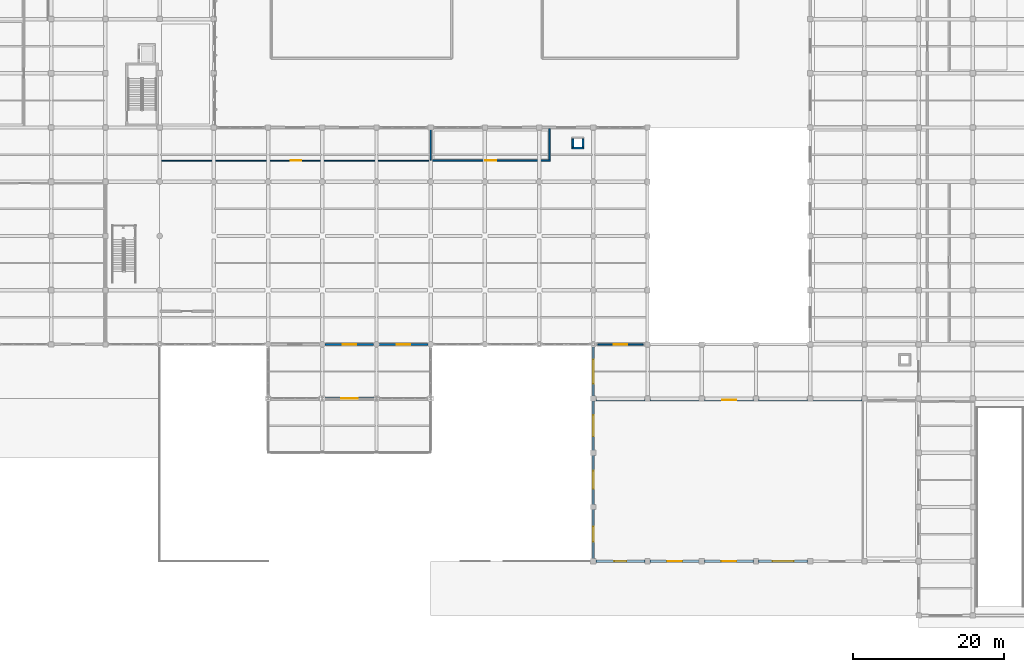
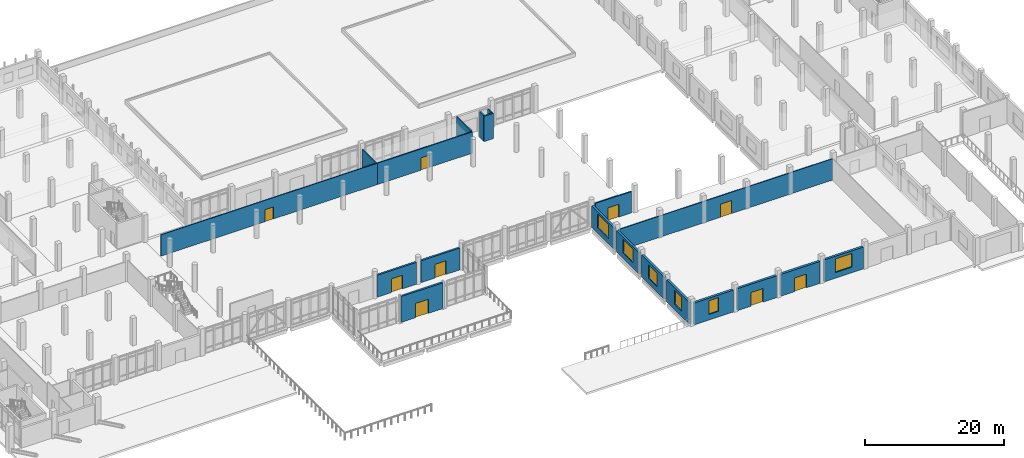
# One storey, part 36 of 59: 20 walls, 9 doors, 6 windows, 15 openings.
"""IFC4 building model written with IfcOpenShell, lengths in metres."""

from ifc_helpers import new_model, si_unit, direction, frame, frame_2d, origin, place, context, subcontext, project, spatial, rectangle, extrude, material, layer, layer_set, type_object, element, fill, save


model = new_model("IFC4")

# Units and contexts
model_context = context("Model", 3, precision=1e-05, world=origin(), true_north=direction((0.0, 1.0)))
body_context = subcontext(model_context, "Body", "Model", "MODEL_VIEW")
ifc_project = project(units=[si_unit("LENGTHUNIT", "METRE"), si_unit("AREAUNIT", "SQUARE_METRE"), si_unit("VOLUMEUNIT", "CUBIC_METRE"), si_unit("PLANEANGLEUNIT", "RADIAN"), si_unit("MASSUNIT", "GRAM", prefix="KILO")], contexts=[model_context])

# Site, building, storey
site_placement = place(None, origin())
site = spatial("IfcSite", under=ifc_project, at=site_placement, CompositionType="ELEMENT")
building_placement = place(site_placement, origin())
building = spatial("IfcBuilding", under=site, at=building_placement, Name="Valkovuoma Quantum and Materials Research Institute", CompositionType="ELEMENT")
storey_placement = place(building_placement, origin())
storey = spatial("IfcBuildingStorey", under=building, at=storey_placement, Name="L00", CompositionType="ELEMENT", Elevation=0.0)

# Wall, opening, door
ifc_material_1 = material(Name="Precast concrete C40/50", Category="concrete")
ifc_layer_1 = layer(ifc_material_1, 0.300048828125)
ifc_layer_set_1 = layer_set([ifc_layer_1], Name="Precast concrete C40/50")
wall_type_1 = type_object("IfcWallType", Name="Wall-W-EXT300", PredefinedType="SOLIDWALL", material=ifc_layer_set_1)
wall_1_placement = place(storey_placement, frame((64.93994140625, 28.800048828125, 0.0), z_axis=(0.0, 0.0, 1.0), x_axis=(1.0, 0.0, 0.0)))
wall_1 = element("IfcWall", 1, at=wall_1_placement, inside=storey, type_object=wall_type_1, Name="L00 exterior wall 0073", PredefinedType="SOLIDWALL", context=body_context, shape_type="SweptSolid", body=[
    extrude(rectangle(XDim=6.920166015625, YDim=0.300048828125, at=frame_2d((3.4599609375, 0.0))), origin(), (0.0, 0.0, 1.0), 4.550048828125),
])
opening_1_placement = place(wall_1_placement, frame((2.360107421875, 0.0, 0.0)))
opening_1 = element("IfcOpeningElement", 2, at=opening_1_placement, cuts=wall_1, Name="Opening ED-008", PredefinedType="OPENING", context=body_context, shape_type="SweptSolid", body=[
    extrude(rectangle(XDim=2.199951171875, YDim=2.5, at=frame_2d((1.10009765625, 1.25))), frame((0.0, 0.16015625, 0.0), z_axis=(0.0, -1.0, 0.0), x_axis=(1.0, 0.0, 0.0)), (0.0, 0.0, 1.0), 0.320068359375),
])
ifc_material_2 = material(Name="Thermally broken insulated aluminium and steel door", Category="steel")
door_type_1 = type_object("IfcDoorType", Name="Door-DR-EX04", OperationType="NOTDEFINED", PredefinedType="DOOR", material=ifc_material_2)
door_1_placement = place(opening_1_placement, frame((2.199951171875, 0.0, 0.0), z_axis=(0.0, 0.0, 1.0), x_axis=(-1.0, 0.0, 0.0)))
door_1 = element("IfcDoor", 3, at=door_1_placement, inside=storey, type_object=door_type_1, Name="L00 exterior door 008", OperationType="DOUBLE_DOOR_SINGLE_SWING", OverallHeight=2.5, OverallWidth=2.199951171875, PredefinedType="DOOR", context=body_context, shape_type="SweptSolid", body=[
    extrude(rectangle(XDim=2.199951171875, YDim=2.5, at=frame_2d((1.10009765625, 1.25))), frame((0.0, 0.02490234375, 0.0), z_axis=(0.0, -1.0, 0.0), x_axis=(1.0, 0.0, 0.0)), (0.0, 0.0, 1.0), 0.050048828125),
])
fill(opening_1, door_1)

wall_2_placement = place(storey_placement, frame((65.1650390625, 36.0, 0.0), z_axis=(0.0, 0.0, 1.0), x_axis=(1.0, 0.0, 0.0)))
wall_2 = element("IfcWall", 4, at=wall_2_placement, inside=storey, type_object=wall_type_1, Name="L00 exterior wall 0076", PredefinedType="SOLIDWALL", context=body_context, shape_type="SweptSolid", body=[
    extrude(rectangle(XDim=6.469970703125, YDim=0.300048828125, at=frame_2d((3.23486328125, 0.0))), origin(), (0.0, 0.0, 1.0), 3.85009765625),
])
opening_2_placement = place(wall_2_placement, frame((2.3349609375, 0.0, 0.0)))
opening_2 = element("IfcOpeningElement", 5, at=opening_2_placement, cuts=wall_2, Name="Opening ED-011", PredefinedType="OPENING", context=body_context, shape_type="SweptSolid", body=[
    extrude(rectangle(XDim=1.800048828125, YDim=2.39990234375, at=frame_2d((0.89990234375, 1.199951171875))), frame((0.0, 0.16015625, 0.0), z_axis=(0.0, -1.0, 0.0), x_axis=(1.0, 0.0, 0.0)), (0.0, 0.0, 1.0), 0.320068359375),
])
ifc_material_3 = material(Name="Thermally broken insulated aluminium and steel door", Category="steel")
door_type_2 = type_object("IfcDoorType", Name="Door-DR-EX02", OperationType="NOTDEFINED", PredefinedType="DOOR", material=ifc_material_3)
door_2_placement = place(opening_2_placement, frame((1.800048828125, 0.0, 0.0), z_axis=(0.0, 0.0, 1.0), x_axis=(-1.0, 0.0, 0.0)))
door_2 = element("IfcDoor", 6, at=door_2_placement, inside=storey, type_object=door_type_2, Name="L00 exterior door 011", OperationType="DOUBLE_DOOR_SINGLE_SWING", OverallHeight=2.39990234375, OverallWidth=1.800048828125, PredefinedType="DOOR", context=body_context, shape_type="SweptSolid", body=[
    extrude(rectangle(XDim=1.800048828125, YDim=2.39990234375, at=frame_2d((0.89990234375, 1.199951171875))), frame((0.0, 0.02490234375, 0.0), z_axis=(0.0, -1.0, 0.0), x_axis=(1.0, 0.0, 0.0)), (0.0, 0.0, 1.0), 0.050048828125),
])
fill(opening_2, door_2)

wall_3_placement = place(storey_placement, frame((72.364990234375, 36.0, 0.0), z_axis=(0.0, 0.0, 1.0), x_axis=(1.0, 0.0, 0.0)))
wall_3 = element("IfcWall", 7, at=wall_3_placement, inside=storey, type_object=wall_type_1, Name="L00 exterior wall 0077", PredefinedType="SOLIDWALL", context=body_context, shape_type="SweptSolid", body=[
    extrude(rectangle(XDim=6.469970703125, YDim=0.300048828125, at=frame_2d((3.23486328125, 0.0))), origin(), (0.0, 0.0, 1.0), 3.85009765625),
])
opening_3_placement = place(wall_3_placement, frame((2.3349609375, 0.0, 0.0)))
opening_3 = element("IfcOpeningElement", 8, at=opening_3_placement, cuts=wall_3, Name="Opening ED-012", PredefinedType="OPENING", context=body_context, shape_type="SweptSolid", body=[
    extrude(rectangle(XDim=1.800048828125, YDim=2.39990234375, at=frame_2d((0.89990234375, 1.199951171875))), frame((0.0, 0.16015625, 0.0), z_axis=(0.0, -1.0, 0.0), x_axis=(1.0, 0.0, 0.0)), (0.0, 0.0, 1.0), 0.320068359375),
])
door_3_placement = place(opening_3_placement, frame((1.800048828125, 0.0, 0.0), z_axis=(0.0, 0.0, 1.0), x_axis=(-1.0, 0.0, 0.0)))
door_3 = element("IfcDoor", 9, at=door_3_placement, inside=storey, type_object=door_type_2, Name="L00 exterior door 012", OperationType="DOUBLE_DOOR_SINGLE_SWING", OverallHeight=2.39990234375, OverallWidth=1.800048828125, PredefinedType="DOOR", context=body_context, shape_type="SweptSolid", body=[
    extrude(rectangle(XDim=1.800048828125, YDim=2.39990234375, at=frame_2d((0.89990234375, 1.199951171875))), frame((0.0, 0.02490234375, 0.0), z_axis=(0.0, -1.0, 0.0), x_axis=(1.0, 0.0, 0.0)), (0.0, 0.0, 1.0), 0.050048828125),
])
fill(opening_3, door_3)

# Wall, opening, window
ifc_material_4 = material(Name="Precast concrete C40/50", Category="concrete")
ifc_layer_2 = layer(ifc_material_4, 0.360107421875)
ifc_layer_set_2 = layer_set([ifc_layer_2], Name="Precast concrete C40/50")
wall_type_2 = type_object("IfcWallType", Name="Wall-W-EXT360", PredefinedType="SOLIDWALL", material=ifc_layer_set_2)
wall_4_placement = place(storey_placement, frame((100.800048828125, 7.5400390625, 0.0), z_axis=(0.0, 0.0, 1.0), x_axis=(0.0, 1.0, 0.0)))
wall_4 = element("IfcWall", 10, at=wall_4_placement, inside=storey, type_object=wall_type_2, Name="L00 exterior wall 0088", PredefinedType="SOLIDWALL", context=body_context, shape_type="SweptSolid", body=[
    extrude(rectangle(XDim=6.52001953125, YDim=0.360107421875, at=frame_2d((3.260009765625, 0.0))), origin(), (0.0, 0.0, 1.0), 3.85009765625),
])
opening_4_placement = place(wall_4_placement, frame((2.260009765625, 0.0, 0.949951171875)))
opening_4 = element("IfcOpeningElement", 11, at=opening_4_placement, cuts=wall_4, Name="Opening WN-LF02", PredefinedType="OPENING", context=body_context, shape_type="SweptSolid", body=[
    extrude(rectangle(XDim=2.0, YDim=2.39990234375, at=frame_2d((1.0, 1.199951171875))), frame((0.0, 0.18994140625, 0.0), z_axis=(0.0, -1.0, 0.0), x_axis=(1.0, 0.0, 0.0)), (0.0, 0.0, 1.0), 0.380126953125),
])
ifc_material_5 = material(Name="Triple low-E argon glazing in thermally broken aluminium frame", Category="aluminium")
window_type_1 = type_object("IfcWindowType", Name="Win-WN-LF02", PartitioningType="SINGLE_PANEL", PredefinedType="WINDOW", material=ifc_material_5)
window_1_placement = place(opening_4_placement, origin())
window_1 = element("IfcWindow", 12, at=window_1_placement, inside=storey, type_object=window_type_1, Name="L00 window 0077", OverallHeight=2.39990234375, OverallWidth=2.0, PartitioningType="SINGLE_PANEL", PredefinedType="WINDOW", context=body_context, shape_type="SweptSolid", body=[
    extrude(rectangle(XDim=2.0, YDim=2.39990234375, at=frame_2d((1.0, 1.199951171875))), frame((0.0, 0.030029296875, 0.0), z_axis=(0.0, -1.0, 0.0), x_axis=(1.0, 0.0, 0.0)), (0.0, 0.0, 1.0), 0.06005859375),
])
fill(opening_4, window_1)

wall_5_placement = place(storey_placement, frame((100.800048828125, 14.739990234375, 0.0), z_axis=(0.0, 0.0, 1.0), x_axis=(0.0, 1.0, 0.0)))
wall_5 = element("IfcWall", 13, at=wall_5_placement, inside=storey, type_object=wall_type_2, Name="L00 exterior wall 0089", PredefinedType="SOLIDWALL", context=body_context, shape_type="SweptSolid", body=[
    extrude(rectangle(XDim=6.52001953125, YDim=0.360107421875, at=frame_2d((3.260009765625, 0.0))), origin(), (0.0, 0.0, 1.0), 3.85009765625),
])
opening_5_placement = place(wall_5_placement, frame((2.06005859375, 0.0, 0.949951171875)))
opening_5 = element("IfcOpeningElement", 14, at=opening_5_placement, cuts=wall_5, Name="Opening WN-LF03", PredefinedType="OPENING", context=body_context, shape_type="SweptSolid", body=[
    extrude(rectangle(XDim=2.39990234375, YDim=2.39990234375, at=frame_2d((1.199951171875, 1.199951171875))), frame((0.0, 0.18994140625, 0.0), z_axis=(0.0, -1.0, 0.0), x_axis=(1.0, 0.0, 0.0)), (0.0, 0.0, 1.0), 0.380126953125),
])
ifc_material_6 = material(Name="Triple low-E argon glazing in thermally broken aluminium frame", Category="aluminium")
window_type_2 = type_object("IfcWindowType", Name="Win-WN-LF03", PartitioningType="SINGLE_PANEL", PredefinedType="WINDOW", material=ifc_material_6)
window_2_placement = place(opening_5_placement, origin())
window_2 = element("IfcWindow", 15, at=window_2_placement, inside=storey, type_object=window_type_2, Name="L00 window 0078", OverallHeight=2.39990234375, OverallWidth=2.39990234375, PartitioningType="SINGLE_PANEL", PredefinedType="WINDOW", context=body_context, shape_type="SweptSolid", body=[
    extrude(rectangle(XDim=2.39990234375, YDim=2.39990234375, at=frame_2d((1.199951171875, 1.199951171875))), frame((0.0, 0.030029296875, 0.0), z_axis=(0.0, -1.0, 0.0), x_axis=(1.0, 0.0, 0.0)), (0.0, 0.0, 1.0), 0.06005859375),
])
fill(opening_5, window_2)

wall_6_placement = place(storey_placement, frame((100.800048828125, 21.93994140625, 0.0), z_axis=(0.0, 0.0, 1.0), x_axis=(0.0, 1.0, 0.0)))
wall_6 = element("IfcWall", 16, at=wall_6_placement, inside=storey, type_object=wall_type_2, Name="L00 exterior wall 0090", PredefinedType="SOLIDWALL", context=body_context, shape_type="SweptSolid", body=[
    extrude(rectangle(XDim=6.52001953125, YDim=0.360107421875, at=frame_2d((3.260009765625, 0.0))), origin(), (0.0, 0.0, 1.0), 3.75),
])
opening_6_placement = place(wall_6_placement, frame((1.860107421875, 0.0, 0.949951171875)))
opening_6 = element("IfcOpeningElement", 17, at=opening_6_placement, cuts=wall_6, Name="Opening WN-LF04", PredefinedType="OPENING", context=body_context, shape_type="SweptSolid", body=[
    extrude(rectangle(XDim=2.800048828125, YDim=2.39990234375, at=frame_2d((1.39990234375, 1.199951171875))), frame((0.0, 0.18994140625, 0.0), z_axis=(0.0, -1.0, 0.0), x_axis=(1.0, 0.0, 0.0)), (0.0, 0.0, 1.0), 0.380126953125),
])
ifc_material_7 = material(Name="Triple low-E argon glazing in thermally broken aluminium frame", Category="aluminium")
window_type_3 = type_object("IfcWindowType", Name="Win-WN-LF04", PartitioningType="SINGLE_PANEL", PredefinedType="WINDOW", material=ifc_material_7)
window_3_placement = place(opening_6_placement, origin())
window_3 = element("IfcWindow", 18, at=window_3_placement, inside=storey, type_object=window_type_3, Name="L00 window 0079", OverallHeight=2.39990234375, OverallWidth=2.800048828125, PartitioningType="SINGLE_PANEL", PredefinedType="WINDOW", context=body_context, shape_type="SweptSolid", body=[
    extrude(rectangle(XDim=2.800048828125, YDim=2.39990234375, at=frame_2d((1.39990234375, 1.199951171875))), frame((0.0, 0.030029296875, 0.0), z_axis=(0.0, -1.0, 0.0), x_axis=(1.0, 0.0, 0.0)), (0.0, 0.0, 1.0), 0.06005859375),
])
fill(opening_6, window_3)

wall_7_placement = place(storey_placement, frame((100.800048828125, 29.139892578125, 0.0), z_axis=(0.0, 0.0, 1.0), x_axis=(0.0, 1.0, 0.0)))
wall_7 = element("IfcWall", 19, at=wall_7_placement, inside=storey, type_object=wall_type_2, Name="L00 exterior wall 0091", PredefinedType="SOLIDWALL", context=body_context, shape_type="SweptSolid", body=[
    extrude(rectangle(XDim=6.4951171875, YDim=0.360107421875, at=frame_2d((3.24755859375, 0.0))), origin(), (0.0, 0.0, 1.0), 3.75),
])
opening_7_placement = place(wall_7_placement, frame((1.6474609375, 0.0, 0.949951171875)))
opening_7 = element("IfcOpeningElement", 20, at=opening_7_placement, cuts=wall_7, Name="Opening WN-LF05", PredefinedType="OPENING", context=body_context, shape_type="SweptSolid", body=[
    extrude(rectangle(XDim=3.199951171875, YDim=2.39990234375, at=frame_2d((1.60009765625, 1.199951171875))), frame((0.0, 0.18994140625, 0.0), z_axis=(0.0, -1.0, 0.0), x_axis=(1.0, 0.0, 0.0)), (0.0, 0.0, 1.0), 0.380126953125),
])
ifc_material_8 = material(Name="Triple low-E argon glazing in thermally broken aluminium frame", Category="aluminium")
window_type_4 = type_object("IfcWindowType", Name="Win-WN-LF05", PartitioningType="SINGLE_PANEL", PredefinedType="WINDOW", material=ifc_material_8)
window_4_placement = place(opening_7_placement, origin())
window_4 = element("IfcWindow", 21, at=window_4_placement, inside=storey, type_object=window_type_4, Name="L00 window 0080", OverallHeight=2.39990234375, OverallWidth=3.199951171875, PartitioningType="SINGLE_PANEL", PredefinedType="WINDOW", context=body_context, shape_type="SweptSolid", body=[
    extrude(rectangle(XDim=3.199951171875, YDim=2.39990234375, at=frame_2d((1.60009765625, 1.199951171875))), frame((0.0, 0.030029296875, 0.0), z_axis=(0.0, -1.0, 0.0), x_axis=(1.0, 0.0, 0.0)), (0.0, 0.0, 1.0), 0.06005859375),
])
fill(opening_7, window_4)

ifc_material_9 = material(Name="Precast concrete C40/50", Category="concrete")
ifc_layer_3 = layer(ifc_material_9, 0.3798828125)
ifc_layer_set_3 = layer_set([ifc_layer_3], Name="Precast concrete C40/50")
wall_type_3 = type_object("IfcWallType", Name="Wall-W-EXT380", PredefinedType="SOLIDWALL", material=ifc_layer_set_3)
wall_8_placement = place(storey_placement, frame((101.139892578125, 7.199951171875, 0.0), z_axis=(0.0, 0.0, 1.0), x_axis=(1.0, 0.0, 0.0)))
wall_8 = element("IfcWall", 22, at=wall_8_placement, inside=storey, type_object=wall_type_3, Name="L00 exterior wall 0082", PredefinedType="SOLIDWALL", context=body_context, shape_type="SweptSolid", body=[
    extrude(rectangle(XDim=6.52001953125, YDim=0.3798828125, at=frame_2d((3.260009765625, 0.0))), origin(), (0.0, 0.0, 1.0), 3.85009765625),
])
opening_8_placement = place(wall_8_placement, frame((2.4599609375, 0.0, 1.0)))
opening_8 = element("IfcOpeningElement", 23, at=opening_8_placement, cuts=wall_8, Name="Opening WN-LF01", PredefinedType="OPENING", context=body_context, shape_type="SweptSolid", body=[
    extrude(rectangle(XDim=1.60009765625, YDim=2.39990234375, at=frame_2d((0.800048828125, 1.199951171875))), frame((0.0, 0.199951171875, 0.0), z_axis=(0.0, -1.0, 0.0), x_axis=(1.0, 0.0, 0.0)), (0.0, 0.0, 1.0), 0.39990234375),
])
ifc_material_10 = material(Name="Triple low-E argon glazing in thermally broken aluminium frame", Category="aluminium")
window_type_5 = type_object("IfcWindowType", Name="Win-WN-LF01", PartitioningType="SINGLE_PANEL", PredefinedType="WINDOW", material=ifc_material_10)
window_5_placement = place(opening_8_placement, origin())
window_5 = element("IfcWindow", 24, at=window_5_placement, inside=storey, type_object=window_type_5, Name="L00 window 0075", OverallHeight=2.39990234375, OverallWidth=1.60009765625, PartitioningType="SINGLE_PANEL", PredefinedType="WINDOW", context=body_context, shape_type="SweptSolid", body=[
    extrude(rectangle(XDim=1.60009765625, YDim=2.39990234375, at=frame_2d((0.800048828125, 1.199951171875))), frame((0.0, 0.030029296875, 0.0), z_axis=(0.0, -1.0, 0.0), x_axis=(1.0, 0.0, 0.0)), (0.0, 0.0, 1.0), 0.06005859375),
])
fill(opening_8, window_5)

# Wall, opening, door
wall_9_placement = place(storey_placement, frame((108.340087890625, 7.199951171875, 0.0), z_axis=(0.0, 0.0, 1.0), x_axis=(1.0, 0.0, 0.0)))
wall_9 = element("IfcWall", 25, at=wall_9_placement, inside=storey, type_object=wall_type_3, Name="L00 exterior wall 0083", PredefinedType="SOLIDWALL", context=body_context, shape_type="SweptSolid", body=[
    extrude(rectangle(XDim=6.52001953125, YDim=0.3798828125, at=frame_2d((3.260009765625, 0.0))), origin(), (0.0, 0.0, 1.0), 3.85009765625),
])
opening_9_placement = place(wall_9_placement, frame((2.260009765625, 0.0, 0.0)))
opening_9 = element("IfcOpeningElement", 26, at=opening_9_placement, cuts=wall_9, Name="Opening ED-017", PredefinedType="OPENING", context=body_context, shape_type="SweptSolid", body=[
    extrude(rectangle(XDim=2.0, YDim=2.39990234375, at=frame_2d((1.0, 1.199951171875))), frame((0.0, 0.199951171875, 0.0), z_axis=(0.0, -1.0, 0.0), x_axis=(1.0, 0.0, 0.0)), (0.0, 0.0, 1.0), 0.39990234375),
])
ifc_material_11 = material(Name="Thermally broken insulated aluminium and steel door", Category="steel")
door_type_3 = type_object("IfcDoorType", Name="Door-DR-EX01", OperationType="NOTDEFINED", PredefinedType="DOOR", material=ifc_material_11)
door_4_placement = place(opening_9_placement, frame((2.0, 0.0, 0.0), z_axis=(0.0, 0.0, 1.0), x_axis=(-1.0, 0.0, 0.0)))
door_4 = element("IfcDoor", 27, at=door_4_placement, inside=storey, type_object=door_type_3, Name="L00 exterior door 017", OperationType="DOUBLE_DOOR_SINGLE_SWING", OverallHeight=2.39990234375, OverallWidth=2.0, PredefinedType="DOOR", context=body_context, shape_type="SweptSolid", body=[
    extrude(rectangle(XDim=2.0, YDim=2.39990234375, at=frame_2d((1.0, 1.199951171875))), frame((0.0, 0.02490234375, 0.0), z_axis=(0.0, -1.0, 0.0), x_axis=(1.0, 0.0, 0.0)), (0.0, 0.0, 1.0), 0.050048828125),
])
fill(opening_9, door_4)

wall_10_placement = place(storey_placement, frame((115.5400390625, 7.199951171875, 0.0), z_axis=(0.0, 0.0, 1.0), x_axis=(1.0, 0.0, 0.0)))
wall_10 = element("IfcWall", 28, at=wall_10_placement, inside=storey, type_object=wall_type_3, Name="L00 exterior wall 0084", PredefinedType="SOLIDWALL", context=body_context, shape_type="SweptSolid", body=[
    extrude(rectangle(XDim=6.52001953125, YDim=0.3798828125, at=frame_2d((3.260009765625, 0.0))), origin(), (0.0, 0.0, 1.0), 3.85009765625),
])
opening_10_placement = place(wall_10_placement, frame((2.260009765625, 0.0, 0.0)))
opening_10 = element("IfcOpeningElement", 29, at=opening_10_placement, cuts=wall_10, Name="Opening ED-018", PredefinedType="OPENING", context=body_context, shape_type="SweptSolid", body=[
    extrude(rectangle(XDim=2.0, YDim=2.39990234375, at=frame_2d((1.0, 1.199951171875))), frame((0.0, 0.199951171875, 0.0), z_axis=(0.0, -1.0, 0.0), x_axis=(1.0, 0.0, 0.0)), (0.0, 0.0, 1.0), 0.39990234375),
])
door_5_placement = place(opening_10_placement, frame((2.0, 0.0, 0.0), z_axis=(0.0, 0.0, 1.0), x_axis=(-1.0, 0.0, 0.0)))
door_5 = element("IfcDoor", 30, at=door_5_placement, inside=storey, type_object=door_type_3, Name="L00 exterior door 018", OperationType="DOUBLE_DOOR_SINGLE_SWING", OverallHeight=2.39990234375, OverallWidth=2.0, PredefinedType="DOOR", context=body_context, shape_type="SweptSolid", body=[
    extrude(rectangle(XDim=2.0, YDim=2.39990234375, at=frame_2d((1.0, 1.199951171875))), frame((0.0, 0.02490234375, 0.0), z_axis=(0.0, -1.0, 0.0), x_axis=(1.0, 0.0, 0.0)), (0.0, 0.0, 1.0), 0.050048828125),
])
fill(opening_10, door_5)

# Wall, opening, window
wall_11_placement = place(storey_placement, frame((122.739990234375, 7.199951171875, 0.0), z_axis=(0.0, 0.0, 1.0), x_axis=(1.0, 0.0, 0.0)))
wall_11 = element("IfcWall", 31, at=wall_11_placement, inside=storey, type_object=wall_type_3, Name="L00 exterior wall 0085", PredefinedType="SOLIDWALL", context=body_context, shape_type="SweptSolid", body=[
    extrude(rectangle(XDim=6.52001953125, YDim=0.3798828125, at=frame_2d((3.260009765625, 0.0))), origin(), (0.0, 0.0, 1.0), 3.85009765625),
])
opening_11_placement = place(wall_11_placement, frame((1.860107421875, 0.0, 1.0)))
opening_11 = element("IfcOpeningElement", 32, at=opening_11_placement, cuts=wall_11, Name="Opening WN-LF04", PredefinedType="OPENING", context=body_context, shape_type="SweptSolid", body=[
    extrude(rectangle(XDim=2.800048828125, YDim=2.39990234375, at=frame_2d((1.39990234375, 1.199951171875))), frame((0.0, 0.199951171875, 0.0), z_axis=(0.0, -1.0, 0.0), x_axis=(1.0, 0.0, 0.0)), (0.0, 0.0, 1.0), 0.39990234375),
])
window_6_placement = place(opening_11_placement, origin())
window_6 = element("IfcWindow", 33, at=window_6_placement, inside=storey, type_object=window_type_3, Name="L00 window 0076", OverallHeight=2.39990234375, OverallWidth=2.800048828125, PartitioningType="SINGLE_PANEL", PredefinedType="WINDOW", context=body_context, shape_type="SweptSolid", body=[
    extrude(rectangle(XDim=2.800048828125, YDim=2.39990234375, at=frame_2d((1.39990234375, 1.199951171875))), frame((0.0, 0.030029296875, 0.0), z_axis=(0.0, -1.0, 0.0), x_axis=(1.0, 0.0, 0.0)), (0.0, 0.0, 1.0), 0.06005859375),
])
fill(opening_11, window_6)

# Wall, opening, door
ifc_material_12 = material(Name="Concrete C40/50", Category="concrete")
ifc_layer_4 = layer(ifc_material_12, 0.219970703125)
ifc_layer_set_4 = layer_set([ifc_layer_4], Name="Concrete C40/50")
wall_type_4 = type_object("IfcWallType", Name="Wall-W-FFL220", PredefinedType="SOLIDWALL", material=ifc_layer_set_4)
wall_12_placement = place(storey_placement, frame((101.39990234375, 36.0, 0.0), z_axis=(0.0, 0.0, 1.0), x_axis=(1.0, 0.0, 0.0)))
wall_12 = element("IfcWall", 34, at=wall_12_placement, inside=storey, type_object=wall_type_4, Name="L00 core wall 0298", PredefinedType="SOLIDWALL", context=body_context, shape_type="SweptSolid", body=[
    extrude(rectangle(XDim=6.0, YDim=0.219970703125, at=frame_2d((3.0, 0.0))), origin(), (0.0, 0.0, 1.0), 3.75),
])
opening_12_placement = place(wall_12_placement, frame((2.125, 0.0, 0.0)))
opening_12 = element("IfcOpeningElement", 35, at=opening_12_placement, cuts=wall_12, Name="Opening LDK-047", PredefinedType="OPENING", context=body_context, shape_type="SweptSolid", body=[
    extrude(rectangle(XDim=1.75, YDim=2.25, at=frame_2d((0.875, 1.125))), frame((0.0, 0.1201171875, 0.0), z_axis=(0.0, -1.0, 0.0), x_axis=(1.0, 0.0, 0.0)), (0.0, 0.0, 1.0), 0.239990234375),
])
ifc_material_13 = material(Name="Powder-coated steel and acoustic timber door assembly", Category="steel")
door_type_4 = type_object("IfcDoorType", Name="Door-DR-SM04", OperationType="NOTDEFINED", PredefinedType="DOOR", material=ifc_material_13)
door_6_placement = place(opening_12_placement, origin())
door_6 = element("IfcDoor", 36, at=door_6_placement, inside=storey, type_object=door_type_4, Name="L00 lecture-atrium link door", OperationType="DOUBLE_DOOR_SINGLE_SWING", OverallHeight=2.25, OverallWidth=1.75, PredefinedType="DOOR", context=body_context, shape_type="SweptSolid", body=[
    extrude(rectangle(XDim=1.75, YDim=2.25, at=frame_2d((0.875, 1.125))), frame((0.0, 0.02490234375, 0.0), z_axis=(0.0, -1.0, 0.0), x_axis=(1.0, 0.0, 0.0)), (0.0, 0.0, 1.0), 0.050048828125),
])
fill(opening_12, door_6)

ifc_material_14 = material(Name="Interior office stud partition", Category="masonry")
ifc_layer_5 = layer(ifc_material_14, 0.135009765625)
ifc_layer_set_5 = layer_set([ifc_layer_5], Name="Interior office stud partition")
wall_type_5 = type_object("IfcWallType", Name="Wall-W-PRT135", PredefinedType="PARTITIONING", material=ifc_layer_set_5)
wall_13_placement = place(storey_placement, frame((100.97998046875, 28.60009765625, 0.0), z_axis=(0.0, 0.0, 1.0), x_axis=(1.0, 0.0, 0.0)))
wall_13 = element("IfcWall", 37, at=wall_13_placement, inside=storey, type_object=wall_type_5, Name="L00 partition 0039", PredefinedType="PARTITIONING", context=body_context, shape_type="SweptSolid", body=[
    extrude(rectangle(XDim=35.6875, YDim=0.135009765625, at=frame_2d((17.84375, 0.0))), origin(), (0.0, 0.0, 1.0), 3.75),
])
opening_13_placement = place(wall_13_placement, frame((16.918701171875, 0.0, 0.0)))
opening_13 = element("IfcOpeningElement", 38, at=opening_13_placement, cuts=wall_13, Name="Opening ID-0028", PredefinedType="OPENING", context=body_context, shape_type="SweptSolid", body=[
    extrude(rectangle(XDim=1.85009765625, YDim=2.300048828125, at=frame_2d((0.925048828125, 1.14990234375))), frame((0.0, 0.07763671875, 0.0), z_axis=(0.0, -1.0, 0.0), x_axis=(1.0, 0.0, 0.0)), (0.0, 0.0, 1.0), 0.155029296875),
])
ifc_material_15 = material(Name="Powder-coated steel and acoustic timber door assembly", Category="steel")
door_type_5 = type_object("IfcDoorType", Name="Door-DR-LT01", OperationType="NOTDEFINED", PredefinedType="DOOR", material=ifc_material_15)
door_7_placement = place(opening_13_placement, origin())
door_7 = element("IfcDoor", 39, at=door_7_placement, inside=storey, type_object=door_type_5, Name="L00 room door 0028", OperationType="DOUBLE_DOOR_SINGLE_SWING", OverallHeight=2.300048828125, OverallWidth=1.85009765625, PredefinedType="DOOR", context=body_context, shape_type="SweptSolid", body=[
    extrude(rectangle(XDim=1.85009765625, YDim=2.300048828125, at=frame_2d((0.925048828125, 1.14990234375))), frame((0.0, 0.02490234375, 0.0), z_axis=(0.0, -1.0, 0.0), x_axis=(1.0, 0.0, 0.0)), (0.0, 0.0, 1.0), 0.050048828125),
])
fill(opening_13, door_7)

ifc_material_16 = material(Name="Acoustic write-up studio partition", Category="masonry")
ifc_layer_6 = layer(ifc_material_16, 0.14990234375)
ifc_layer_set_6 = layer_set([ifc_layer_6], Name="Acoustic write-up studio partition")
wall_type_6 = type_object("IfcWallType", Name="Wall-W-PRT150", PredefinedType="PARTITIONING", material=ifc_layer_set_6)
wall_14_placement = place(storey_placement, frame((43.324951171875, 60.39990234375, 0.0), z_axis=(0.0, 0.0, 1.0), x_axis=(1.0, 0.0, 0.0)))
wall_14 = element("IfcWall", 40, at=wall_14_placement, inside=storey, type_object=wall_type_6, Name="L00 partition 0035", PredefinedType="PARTITIONING", context=body_context, shape_type="SweptSolid", body=[
    extrude(rectangle(XDim=35.949951171875, YDim=0.14990234375, at=frame_2d((17.97509765625, 0.0))), origin(), (0.0, 0.0, 1.0), 3.75),
])
opening_14_placement = place(wall_14_placement, frame((17.284912109375, 0.0, 0.0)))
opening_14 = element("IfcOpeningElement", 41, at=opening_14_placement, cuts=wall_14, Name="Opening ID-0026", PredefinedType="OPENING", context=body_context, shape_type="SweptSolid", body=[
    extrude(rectangle(XDim=1.3798828125, YDim=2.1201171875, at=frame_2d((0.68994140625, 1.06005859375))), frame((0.0, 0.0849609375, 0.0), z_axis=(0.0, -1.0, 0.0), x_axis=(1.0, 0.0, 0.0)), (0.0, 0.0, 1.0), 0.169921875),
])
ifc_material_17 = material(Name="Powder-coated steel and acoustic timber door assembly", Category="steel")
door_type_6 = type_object("IfcDoorType", Name="Door-DR-RM10", OperationType="NOTDEFINED", PredefinedType="DOOR", material=ifc_material_17)
door_8_placement = place(opening_14_placement, origin())
door_8 = element("IfcDoor", 42, at=door_8_placement, inside=storey, type_object=door_type_6, Name="L00 room door 0026", OperationType="SINGLE_SWING_LEFT", OverallHeight=2.1201171875, OverallWidth=1.3798828125, PredefinedType="DOOR", context=body_context, shape_type="SweptSolid", body=[
    extrude(rectangle(XDim=1.3798828125, YDim=2.1201171875, at=frame_2d((0.68994140625, 1.06005859375))), frame((0.0, 0.02490234375, 0.0), z_axis=(0.0, -1.0, 0.0), x_axis=(1.0, 0.0, 0.0)), (0.0, 0.0, 1.0), 0.050048828125),
])
fill(opening_14, door_8)

# Wall
wall_15_placement = place(storey_placement, frame((79.199951171875, 60.47509765625, 0.0), z_axis=(0.0, 0.0, 1.0), x_axis=(0.0, 1.0, 0.0)))
element("IfcWall", 43, at=wall_15_placement, inside=storey, type_object=wall_type_6, Name="L00 partition 0036", PredefinedType="PARTITIONING", context=body_context, shape_type="SweptSolid", body=[
    extrude(rectangle(XDim=4.0498046875, YDim=0.14990234375, at=frame_2d((2.02490234375, 0.0))), origin(), (0.0, 0.0, 1.0), 3.75),
])

# Wall, opening, door
ifc_material_18 = material(Name="Acoustic double-stud gypsum and mineral wool partition", Category="masonry")
ifc_layer_7 = layer(ifc_material_18, 0.199951171875)
ifc_layer_set_7 = layer_set([ifc_layer_7], Name="Acoustic double-stud gypsum and mineral wool partition")
wall_type_7 = type_object("IfcWallType", Name="Wall-W-PRT200", PredefinedType="PARTITIONING", material=ifc_layer_set_7)
wall_16_placement = place(storey_placement, frame((79.27490234375, 60.39990234375, 0.0), z_axis=(0.0, 0.0, 1.0), x_axis=(1.0, 0.0, 0.0)))
wall_16 = element("IfcWall", 44, at=wall_16_placement, inside=storey, type_object=wall_type_7, Name="L00 partition 0037", PredefinedType="PARTITIONING", context=body_context, shape_type="SweptSolid", body=[
    extrude(rectangle(XDim=15.8251953125, YDim=0.199951171875, at=frame_2d((7.91259765625, 0.0))), origin(), (0.0, 0.0, 1.0), 3.75),
])
opening_15_placement = place(wall_16_placement, frame((7.197509765625, 0.0, 0.0)))
opening_15 = element("IfcOpeningElement", 45, at=opening_15_placement, cuts=wall_16, Name="Opening ID-0027", PredefinedType="OPENING", context=body_context, shape_type="SweptSolid", body=[
    extrude(rectangle(XDim=1.429931640625, YDim=2.179931640625, at=frame_2d((0.71484375, 1.08984375))), frame((0.0, 0.10986328125, 0.0), z_axis=(0.0, -1.0, 0.0), x_axis=(1.0, 0.0, 0.0)), (0.0, 0.0, 1.0), 0.219970703125),
])
ifc_material_19 = material(Name="Powder-coated steel and acoustic timber door assembly", Category="steel")
door_type_7 = type_object("IfcDoorType", Name="Door-DR-RM11", OperationType="NOTDEFINED", PredefinedType="DOOR", material=ifc_material_19)
door_9_placement = place(opening_15_placement, origin())
door_9 = element("IfcDoor", 46, at=door_9_placement, inside=storey, type_object=door_type_7, Name="L00 room door 0027", OperationType="SINGLE_SWING_RIGHT", OverallHeight=2.179931640625, OverallWidth=1.429931640625, PredefinedType="DOOR", context=body_context, shape_type="SweptSolid", body=[
    extrude(rectangle(XDim=1.429931640625, YDim=2.179931640625, at=frame_2d((0.71484375, 1.08984375))), frame((0.0, 0.02490234375, 0.0), z_axis=(0.0, -1.0, 0.0), x_axis=(1.0, 0.0, 0.0)), (0.0, 0.0, 1.0), 0.050048828125),
])
fill(opening_15, door_9)

# Walls
wall_17_placement = place(storey_placement, frame((95.0, 60.5, 0.0), z_axis=(0.0, 0.0, 1.0), x_axis=(0.0, 1.0, 0.0)))
element("IfcWall", 47, at=wall_17_placement, inside=storey, type_object=wall_type_7, Name="L00 partition 0038", PredefinedType="PARTITIONING", context=body_context, shape_type="SweptSolid", body=[
    extrude(rectangle(XDim=4.139892578125, YDim=0.199951171875, at=frame_2d((2.06982421875, 0.0))), origin(), (0.0, 0.0, 1.0), 3.85009765625),
])
ifc_material_20 = material(Name="Concrete C40/50", Category="concrete")
ifc_layer_8 = layer(ifc_material_20, 0.239990234375)
ifc_layer_set_8 = layer_set([ifc_layer_8], Name="Concrete C40/50")
wall_type_8 = type_object("IfcWallType", Name="Wall-W-SHF240", PredefinedType="SOLIDWALL", material=ifc_layer_set_8)
wall_18_placement = place(storey_placement, frame((97.9599609375, 62.080078125, 0.0), z_axis=(0.0, 0.0, 1.0), x_axis=(1.0, 0.0, 0.0)))
element("IfcWall", 48, at=wall_18_placement, inside=storey, type_object=wall_type_8, Name="L00 core wall 0349", PredefinedType="SOLIDWALL", context=body_context, shape_type="SweptSolid", body=[
    extrude(rectangle(XDim=1.580078125, YDim=0.239990234375, at=frame_2d((0.7900390625, 0.0))), origin(), (0.0, 0.0, 1.0), 4.449951171875),
])
for number, where, z_axis, x_axis, name in (
    (49, (98.080078125, 62.199951171875, 0.0), (0.0, 0.0, 1.0), (0.0, 1.0, 0.0), "L00 core wall 0351"),
    (50, (99.419921875, 62.199951171875, 0.0), (0.0, 0.0, 1.0), (0.0, 1.0, 0.0), "L00 core wall 0352"),
):
    element("IfcWall", number, at=place(storey_placement, frame(where, z_axis=z_axis, x_axis=x_axis)), inside=storey, type_object=wall_type_8, Name=name, PredefinedType="SOLIDWALL", context=body_context, shape_type="SweptSolid", body=[
        extrude(rectangle(XDim=1.10009765625, YDim=0.239990234375, at=frame_2d((0.550048828125, 0.0))), origin(), (0.0, 0.0, 1.0), 4.449951171875),
    ])

save(model, "model.ifc")
